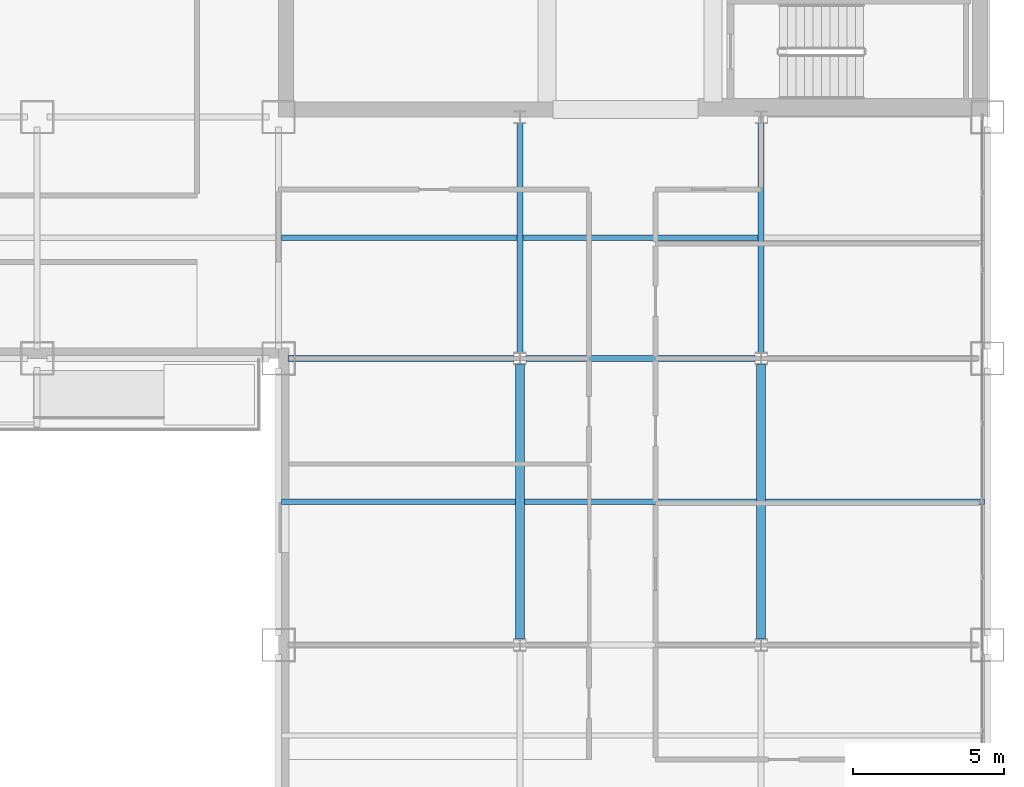
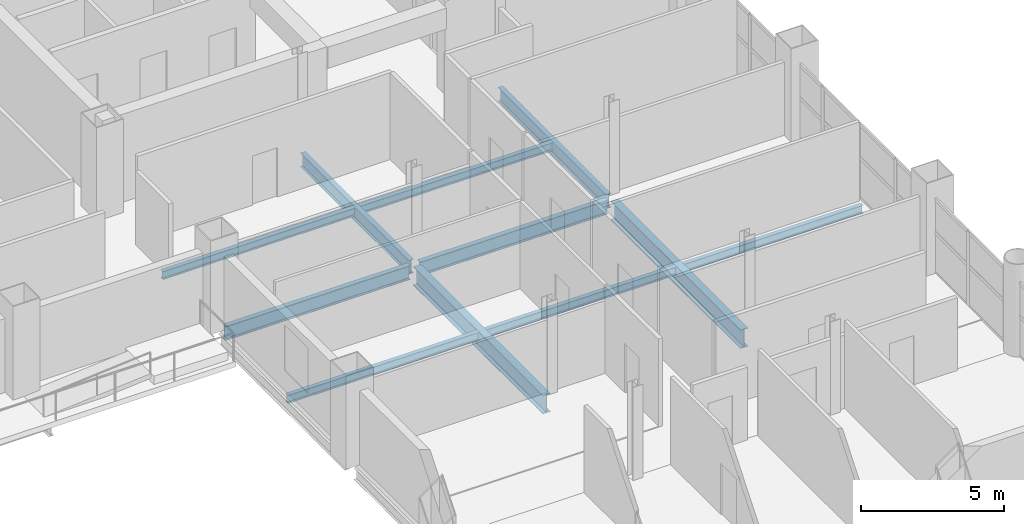
# One storey, part 6 of 16: 11 beams.
"""IFC4 building model written with IfcOpenShell, lengths in metres."""

from ifc_helpers import new_model, si_unit, direction, frame, origin, origin_2d, place, context, subcontext, project, spatial, i_section, extrude, material, material_profile, profile_set, type_object, element, save


model = new_model("IFC4")

# Units and contexts
model_context = context("Model", 3, precision=1e-05, world=origin(), true_north=direction((0.0, 1.0)))
body_context = subcontext(model_context, "Body", "Model", "MODEL_VIEW")
ifc_project = project(units=[si_unit("LENGTHUNIT", "METRE"), si_unit("AREAUNIT", "SQUARE_METRE"), si_unit("VOLUMEUNIT", "CUBIC_METRE"), si_unit("PLANEANGLEUNIT", "RADIAN"), si_unit("MASSUNIT", "GRAM", prefix="KILO")], contexts=[model_context])

# Site, building, storey
site_placement = place(None, origin())
site = spatial("IfcSite", under=ifc_project, at=site_placement, CompositionType="ELEMENT")
building_placement = place(site_placement, origin())
building = spatial("IfcBuilding", under=site, at=building_placement, Name="Qianrong Seaharbour Tower", CompositionType="ELEMENT")
storey_placement = place(building_placement, frame((0.0, 0.0, 119.0)))
storey = spatial("IfcBuildingStorey", under=building, at=storey_placement, Name="L28", CompositionType="ELEMENT", Elevation=119.0)

# Beams
ifc_material_1 = material(Name="Structural steel SN490B", Category="steel")
ifc_material_profile_1 = material_profile(ifc_material_1, i_section(OverallWidth=0.199951171875, OverallDepth=0.60009765625, WebThickness=0.010986328125, FlangeThickness=0.01708984375, FilletRadius=0.02197265625, at=origin_2d()), Name="H600x200x11x17")
ifc_profile_set_1 = profile_set([ifc_material_profile_1], Name="Structural steel SN490B")
beam_type_1 = type_object("IfcBeamType", Name="BM-G-600", PredefinedType="BEAM", material=ifc_profile_set_1)
beam_1_placement = place(storey_placement, frame((40.820068359375, 28.0, -0.534912109375), z_axis=(1.0, 0.0, 0.0), x_axis=(0.0, 1.0, 0.0)))
element("IfcBeam", 1, at=beam_1_placement, inside=storey, type_object=beam_type_1, Name="L28 Primary Girder GE G6-G7", PredefinedType="BEAM", context=body_context, shape_type="SweptSolid", body=[
    extrude(i_section(OverallWidth=0.199951171875, OverallDepth=0.60009765625, WebThickness=0.010986328125, FlangeThickness=0.01708984375, FilletRadius=0.02197265625, at=origin_2d()), origin(), (0.0, 0.0, 1.0), 7.47998046875),
])
for number, where, z_axis, x_axis, name in (
    (2, (48.699951171875, 28.0, -0.534912109375), (1.0, 0.0, 0.0), (0.0, 1.0, 0.0), "L28 Primary Girder GE G7-G8"),
    (3, (48.5, 28.199951171875, -0.534912109375), (0.0, 1.0, 0.0), (-1.0, 0.0, 0.0), "L28 Primary Girder G7 GE-GF"),
    (4, (56.5, 28.199951171875, -0.534912109375), (0.0, 1.0, 0.0), (-1.0, 0.0, 0.0), "L28 Primary Girder G8 GE-GF"),
):
    element("IfcBeam", number, at=place(storey_placement, frame(where, z_axis=z_axis, x_axis=x_axis)), inside=storey, type_object=beam_type_1, Name=name, PredefinedType="BEAM", context=body_context, shape_type="SweptSolid", body=[
        extrude(i_section(OverallWidth=0.199951171875, OverallDepth=0.60009765625, WebThickness=0.010986328125, FlangeThickness=0.01708984375, FilletRadius=0.02197265625, at=origin_2d()), origin(), (0.0, 0.0, 1.0), 7.60009765625),
    ])
ifc_material_profile_2 = material_profile(ifc_material_1, i_section(OverallWidth=0.300048828125, OverallDepth=0.800048828125, WebThickness=0.013916015625, FlangeThickness=0.02587890625, FilletRadius=0.028076171875, at=origin_2d()), Name="H800x300x14x26")
ifc_profile_set_2 = profile_set([ifc_material_profile_2], Name="Structural steel SN490B")
beam_type_2 = type_object("IfcBeamType", Name="BM-G-800", PredefinedType="BEAM", material=ifc_profile_set_2)
for number, where, z_axis, x_axis, name in (
    (5, (48.5, 18.699951171875, -0.635009765625), (0.0, 1.0, 0.0), (-1.0, 0.0, 0.0), "L28 Primary Girder G7 GD-GE"),
    (6, (56.5, 18.699951171875, -0.635009765625), (0.0, 1.0, 0.0), (-1.0, 0.0, 0.0), "L28 Primary Girder G8 GD-GE"),
):
    element("IfcBeam", number, at=place(storey_placement, frame(where, z_axis=z_axis, x_axis=x_axis)), inside=storey, type_object=beam_type_2, Name=name, PredefinedType="BEAM", context=body_context, shape_type="SweptSolid", body=[
        extrude(i_section(OverallWidth=0.300048828125, OverallDepth=0.800048828125, WebThickness=0.013916015625, FlangeThickness=0.02587890625, FilletRadius=0.028076171875, at=origin_2d()), origin(), (0.0, 0.0, 1.0), 9.10009765625),
    ])
ifc_material_2 = material(Name="Structural steel SN400B", Category="steel")
ifc_material_profile_3 = material_profile(ifc_material_2, i_section(OverallWidth=0.175048828125, OverallDepth=0.35009765625, WebThickness=0.007080078125, FlangeThickness=0.010986328125, FilletRadius=0.013916015625, at=origin_2d()), Name="H350x175x7x11")
ifc_profile_set_3 = profile_set([ifc_material_profile_3], Name="Structural steel SN400B")
beam_type_3 = type_object("IfcBeamType", Name="BM-J-350", PredefinedType="JOIST", material=ifc_profile_set_3)
beam_2_placement = place(storey_placement, frame((40.60009765625, 23.25, -0.409912109375), z_axis=(1.0, 0.0, 0.0), x_axis=(0.0, 1.0, 0.0)))
element("IfcBeam", 7, at=beam_2_placement, inside=storey, type_object=beam_type_3, Name="L28 Composite Floor Joist G6-G7/GD-GE", PredefinedType="JOIST", context=body_context, shape_type="SweptSolid", body=[
    extrude(i_section(OverallWidth=0.175048828125, OverallDepth=0.35009765625, WebThickness=0.007080078125, FlangeThickness=0.010986328125, FilletRadius=0.013916015625, at=origin_2d()), origin(), (0.0, 0.0, 1.0), 7.75),
])
beam_3_placement = place(storey_placement, frame((40.60009765625, 32.0, -0.409912109375), z_axis=(1.0, 0.0, 0.0), x_axis=(0.0, 1.0, 0.0)))
element("IfcBeam", 8, at=beam_3_placement, inside=storey, type_object=beam_type_3, Name="L28 Composite Floor Joist G6-G7/GE-GF", PredefinedType="JOIST", context=body_context, shape_type="SweptSolid", body=[
    extrude(i_section(OverallWidth=0.175048828125, OverallDepth=0.35009765625, WebThickness=0.007080078125, FlangeThickness=0.010986328125, FilletRadius=0.013916015625, at=origin_2d()), origin(), (0.0, 0.0, 1.0), 7.7998046875),
])
beam_4_placement = place(storey_placement, frame((48.64990234375, 23.25, -0.409912109375), z_axis=(1.0, 0.0, 0.0), x_axis=(0.0, 1.0, 0.0)))
element("IfcBeam", 9, at=beam_4_placement, inside=storey, type_object=beam_type_3, Name="L28 Composite Floor Joist G7-G8/GD-GE", PredefinedType="JOIST", context=body_context, shape_type="SweptSolid", body=[
    extrude(i_section(OverallWidth=0.175048828125, OverallDepth=0.35009765625, WebThickness=0.007080078125, FlangeThickness=0.010986328125, FilletRadius=0.013916015625, at=origin_2d()), origin(), (0.0, 0.0, 1.0), 7.7001953125),
])
beam_5_placement = place(storey_placement, frame((48.60009765625, 32.0, -0.409912109375), z_axis=(1.0, 0.0, 0.0), x_axis=(0.0, 1.0, 0.0)))
element("IfcBeam", 10, at=beam_5_placement, inside=storey, type_object=beam_type_3, Name="L28 Composite Floor Joist G7-G8/GE-GF", PredefinedType="JOIST", context=body_context, shape_type="SweptSolid", body=[
    extrude(i_section(OverallWidth=0.175048828125, OverallDepth=0.35009765625, WebThickness=0.007080078125, FlangeThickness=0.010986328125, FilletRadius=0.013916015625, at=origin_2d()), origin(), (0.0, 0.0, 1.0), 7.7998046875),
])
beam_6_placement = place(storey_placement, frame((56.64990234375, 23.25, -0.409912109375), z_axis=(1.0, 0.0, 0.0), x_axis=(0.0, 1.0, 0.0)))
element("IfcBeam", 11, at=beam_6_placement, inside=storey, type_object=beam_type_3, Name="L28 Composite Floor Joist G8-G9/GD-GE", PredefinedType="JOIST", context=body_context, shape_type="SweptSolid", body=[
    extrude(i_section(OverallWidth=0.175048828125, OverallDepth=0.35009765625, WebThickness=0.007080078125, FlangeThickness=0.010986328125, FilletRadius=0.013916015625, at=origin_2d()), origin(), (0.0, 0.0, 1.0), 7.25),
])

save(model, "model.ifc")
